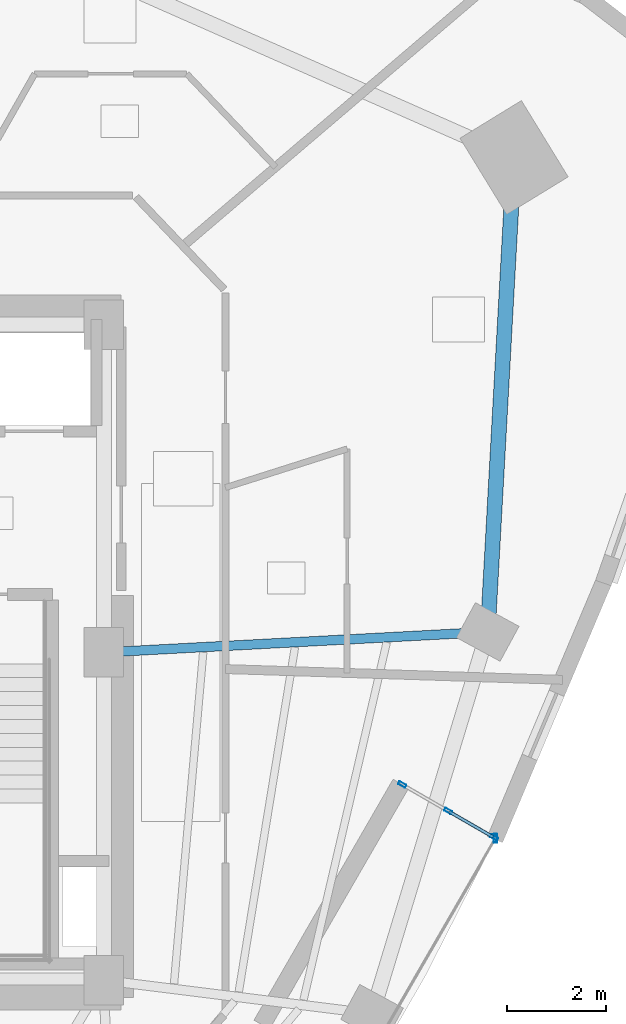
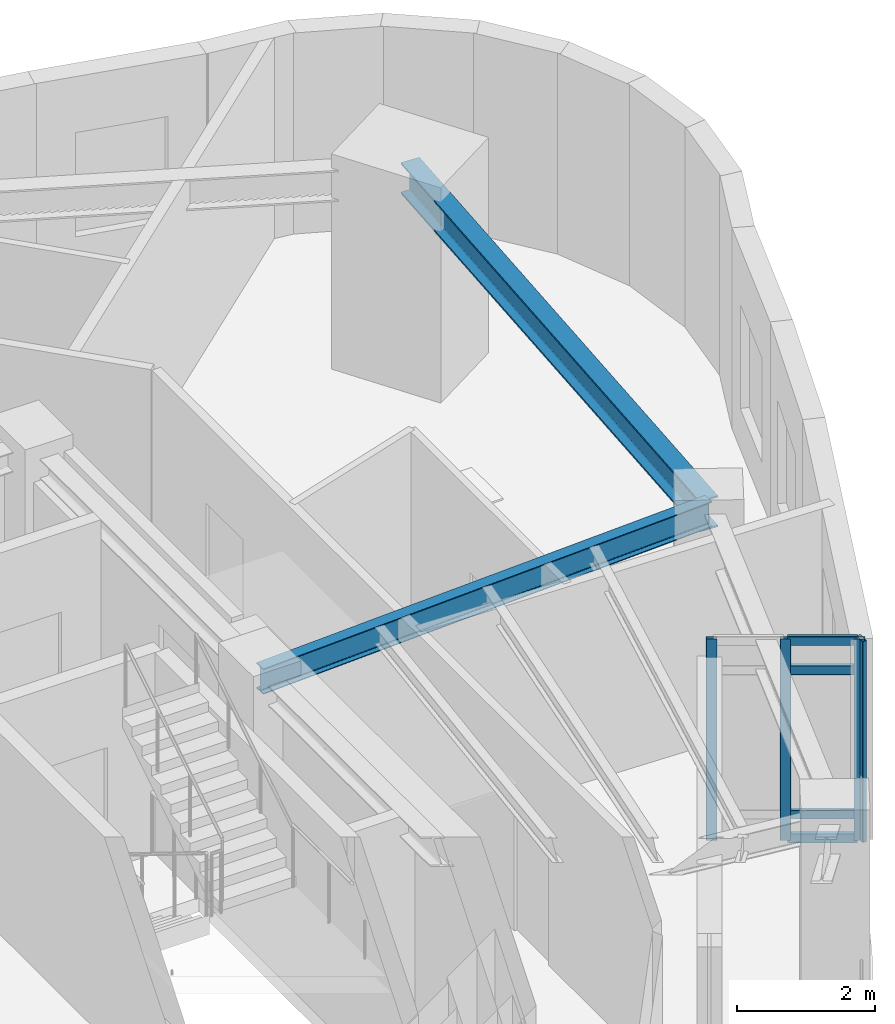
# One storey, part 4 of 12: 8 members, 2 beams, 1 element without a shape of its own.
"""IFC4 building model written with IfcOpenShell, lengths in metres."""

from ifc_helpers import new_model, si_unit, direction, frame, origin, origin_2d, place, context, subcontext, project, spatial, hollow_rectangle, i_section, extrude, material, layer, layer_set, material_profile, profile_set, type_object, element, aggregate, save


model = new_model("IFC4")

# Units and contexts
model_context = context("Model", 3, precision=1e-05, world=origin(), true_north=direction((0.0, 1.0)))
body_context = subcontext(model_context, "Body", "Model", "MODEL_VIEW")
ifc_project = project(units=[si_unit("LENGTHUNIT", "METRE"), si_unit("AREAUNIT", "SQUARE_METRE"), si_unit("VOLUMEUNIT", "CUBIC_METRE"), si_unit("PLANEANGLEUNIT", "RADIAN"), si_unit("MASSUNIT", "GRAM", prefix="KILO")], contexts=[model_context])

# Site, building, storey
site_placement = place(None, origin())
site = spatial("IfcSite", under=ifc_project, at=site_placement, CompositionType="ELEMENT")
building_placement = place(site_placement, origin())
building = spatial("IfcBuilding", under=site, at=building_placement, Name="Ndelora Gate Hotel", CompositionType="ELEMENT")
storey_placement = place(building_placement, frame((0.0, 0.0, 209.35009765625)))
storey = spatial("IfcBuildingStorey", under=building, at=storey_placement, Name="L52", CompositionType="ELEMENT", Elevation=209.35009765625)

# Beams
ifc_material_1 = material(Name="Steel S355", Category="steel")
ifc_material_profile_1 = material_profile(ifc_material_1, i_section(OverallWidth=0.18994140625, OverallDepth=0.449951171875, WebThickness=0.009521484375, FlangeThickness=0.0146484375, FilletRadius=0.02099609375, at=origin_2d()), Name="IPE 450")
ifc_profile_set_1 = profile_set([ifc_material_profile_1], Name="Steel S355")
beam_type_1 = type_object("IfcBeamType", Name="BM-RAD-450", PredefinedType="BEAM", material=ifc_profile_set_1)
beam_1_placement = place(storey_placement, frame((8.0, 0.0, 3.324951171875), z_axis=(0.998583554121, 0.053206065814, 0.0), x_axis=(-0.053206065814, 0.998583554121, 0.0)))
element("IfcBeam", 1, at=beam_1_placement, inside=storey, type_object=beam_type_1, Name="L52 Radial Floor Girder 8", PredefinedType="BEAM", context=body_context, shape_type="SweptSolid", body=[
    extrude(i_section(OverallWidth=0.18994140625, OverallDepth=0.449951171875, WebThickness=0.009521484375, FlangeThickness=0.0146484375, FilletRadius=0.02099609375, at=origin_2d()), origin(), (0.0, 0.0, 1.0), 7.740966796875),
])
ifc_material_profile_2 = material_profile(ifc_material_1, i_section(OverallWidth=0.300048828125, OverallDepth=0.550048828125, WebThickness=0.014892578125, FlangeThickness=0.029052734375, FilletRadius=0.027099609375, at=origin_2d()), Name="HEB 550")
ifc_profile_set_2 = profile_set([ifc_material_profile_2], Name="Steel S355")
beam_type_2 = type_object("IfcBeamType", Name="BM-RING-550", PredefinedType="SPANDREL", material=ifc_profile_set_2)
beam_2_placement = place(storey_placement, frame((15.72998046875, 0.411865234375, 3.27490234375), z_axis=(0.055426206248, 0.998462786318, 0.0), x_axis=(-0.998462786318, 0.055426206248, 0.0)))
element("IfcBeam", 2, at=beam_2_placement, inside=storey, type_object=beam_type_2, Name="L52 Perimeter Spandrel Girder 8", PredefinedType="SPANDREL", context=body_context, shape_type="SweptSolid", body=[
    extrude(i_section(OverallWidth=0.300048828125, OverallDepth=0.550048828125, WebThickness=0.014892578125, FlangeThickness=0.029052734375, FilletRadius=0.027099609375, at=origin_2d()), origin(), (0.0, 0.0, 1.0), 9.567138671875),
])

# Curtain wall, members
ifc_material_2 = material(Name="Bronze Anodised Unitised Aluminium and Low-E Glass", Category="aluminium")
ifc_layer = layer(ifc_material_2, 0.199951171875)
ifc_layer_set = layer_set([ifc_layer], Name="Bronze Anodised Unitised Aluminium and Low-E Glass")
curtain_wall_type = type_object("IfcCurtainWallType", Name="CW-SYS-3", PredefinedType="NOTDEFINED", material=ifc_layer_set)
curtain_wall_placement = place(storey_placement, origin())
curtain_wall = element("IfcCurtainWall", 3, at=curtain_wall_placement, inside=storey, type_object=curtain_wall_type, Name="L52 Sky-Garden Loggia Side Curtain Wall CW3-2", PredefinedType="NOTDEFINED")
ifc_material_3 = material(Name="Bronze Anodised Aluminium 6063-T6", Category="aluminium")
ifc_material_profile_3 = material_profile(ifc_material_3, hollow_rectangle(XDim=0.06494140625, YDim=0.159912109375, WallThickness=0.00390625, InnerFilletRadius=0.00390625, OuterFilletRadius=0.008056640625, at=origin_2d()), Name="ALU 160x65x4")
ifc_profile_set_3 = profile_set([ifc_material_profile_3], Name="Bronze Anodised Aluminium 6063-T6")
member_type_1 = type_object("IfcMemberType", Name="MB-CW-MUL150", PredefinedType="MULLION", material=ifc_profile_set_3)
member_1_placement = place(storey_placement, frame((15.857666015625, -3.728271484375, -0.004150390625), z_axis=(0.0, 0.0, 1.0), x_axis=(-0.499991317892, -0.866030416344, 0.0)))
member_1 = element("IfcMember", 4, at=member_1_placement, type_object=member_type_1, Name="CW3 mullion 1", PredefinedType="MULLION", context=body_context, shape_type="SweptSolid", body=[
    extrude(hollow_rectangle(XDim=0.06494140625, YDim=0.159912109375, WallThickness=0.00390625, InnerFilletRadius=0.00390625, OuterFilletRadius=0.008056640625, at=origin_2d()), origin(), (0.0, 0.0, 1.0), 3.55810546875),
])
member_2_placement = place(storey_placement, frame((14.933349609375, -3.194580078125, -0.004150390625), z_axis=(0.0, 0.0, 1.0), x_axis=(-0.499991317892, -0.866030416344, 0.0)))
member_2 = element("IfcMember", 5, at=member_2_placement, type_object=member_type_1, Name="CW3 mullion 2", PredefinedType="MULLION", context=body_context, shape_type="SweptSolid", body=[
    extrude(hollow_rectangle(XDim=0.06494140625, YDim=0.159912109375, WallThickness=0.00390625, InnerFilletRadius=0.00390625, OuterFilletRadius=0.008056640625, at=origin_2d()), origin(), (0.0, 0.0, 1.0), 3.55810546875),
])
member_3_placement = place(storey_placement, frame((14.0087890625, -2.660888671875, -0.004150390625), z_axis=(0.0, 0.0, 1.0), x_axis=(-0.499991317892, -0.866030416344, 0.0)))
member_3 = element("IfcMember", 6, at=member_3_placement, type_object=member_type_1, Name="CW3 mullion 3", PredefinedType="MULLION", context=body_context, shape_type="SweptSolid", body=[
    extrude(hollow_rectangle(XDim=0.06494140625, YDim=0.159912109375, WallThickness=0.00390625, InnerFilletRadius=0.00390625, OuterFilletRadius=0.008056640625, at=origin_2d()), origin(), (0.0, 0.0, 1.0), 3.55810546875),
])
ifc_material_profile_4 = material_profile(ifc_material_3, hollow_rectangle(XDim=0.070068359375, YDim=0.179931640625, WallThickness=0.0048828125, InnerFilletRadius=0.0048828125, OuterFilletRadius=0.010009765625, at=origin_2d()), Name="ALU 180x70x5")
ifc_profile_set_4 = profile_set([ifc_material_profile_4], Name="Bronze Anodised Aluminium 6063-T6")
member_type_2 = type_object("IfcMemberType", Name="MB-CW-MUL180", PredefinedType="MULLION", material=ifc_profile_set_4)
member_4_placement = place(storey_placement, frame((15.885986328125, -3.74462890625, 0.0), z_axis=(0.0, 0.0, 1.0), x_axis=(1.0, 0.0, 0.0)))
member_4 = element("IfcMember", 7, at=member_4_placement, type_object=member_type_2, Name="L52 Sky-Garden Loggia Corner Mullion Post 2", PredefinedType="MULLION", context=body_context, shape_type="SweptSolid", body=[
    extrude(hollow_rectangle(XDim=0.070068359375, YDim=0.179931640625, WallThickness=0.0048828125, InnerFilletRadius=0.0048828125, OuterFilletRadius=0.010009765625, at=origin_2d()), origin(), (0.0, 0.0, 1.0), 3.5498046875),
])
ifc_material_profile_5 = material_profile(ifc_material_3, hollow_rectangle(XDim=0.06494140625, YDim=0.159912109375, WallThickness=0.00390625, InnerFilletRadius=0.00390625, OuterFilletRadius=0.008056640625, at=origin_2d()), Name="ALU 160x65x4")
ifc_profile_set_5 = profile_set([ifc_material_profile_5], Name="Bronze Anodised Aluminium 6063-T6")
member_type_3 = type_object("IfcMemberType", Name="MB-CW-TRN150", PredefinedType="USERDEFINED", material=ifc_profile_set_5)
member_5_placement = place(storey_placement, frame((15.834716796875, -3.715087890625, 0.032470703125), z_axis=(-0.865953096906, 0.50012521828, 0.0), x_axis=(-0.50012521828, -0.865953096906, 0.0)))
member_5 = element("IfcMember", 8, at=member_5_placement, type_object=member_type_3, Name="CW3 transom 1.1", ObjectType="TRANSOM", PredefinedType="USERDEFINED", context=body_context, shape_type="SweptSolid", body=[
    extrude(hollow_rectangle(XDim=0.06494140625, YDim=0.159912109375, WallThickness=0.00390625, InnerFilletRadius=0.00390625, OuterFilletRadius=0.008056640625, at=origin_2d()), origin(), (0.0, 0.0, 1.0), 1.014404296875),
])
member_6_placement = place(storey_placement, frame((15.834716796875, -3.715087890625, 0.449951171875), z_axis=(-0.865953096906, 0.50012521828, 0.0), x_axis=(-0.50012521828, -0.865953096906, 0.0)))
member_6 = element("IfcMember", 9, at=member_6_placement, type_object=member_type_3, Name="CW3 transom 1.2", ObjectType="TRANSOM", PredefinedType="USERDEFINED", context=body_context, shape_type="SweptSolid", body=[
    extrude(hollow_rectangle(XDim=0.06494140625, YDim=0.159912109375, WallThickness=0.00390625, InnerFilletRadius=0.00390625, OuterFilletRadius=0.008056640625, at=origin_2d()), origin(), (0.0, 0.0, 1.0), 1.014404296875),
])
member_7_placement = place(storey_placement, frame((15.834716796875, -3.715087890625, 3.0), z_axis=(-0.865953096906, 0.50012521828, 0.0), x_axis=(-0.50012521828, -0.865953096906, 0.0)))
member_7 = element("IfcMember", 10, at=member_7_placement, type_object=member_type_3, Name="CW3 transom 1.3", ObjectType="TRANSOM", PredefinedType="USERDEFINED", context=body_context, shape_type="SweptSolid", body=[
    extrude(hollow_rectangle(XDim=0.06494140625, YDim=0.159912109375, WallThickness=0.00390625, InnerFilletRadius=0.00390625, OuterFilletRadius=0.008056640625, at=origin_2d()), origin(), (0.0, 0.0, 1.0), 1.014404296875),
])
member_8_placement = place(storey_placement, frame((15.834716796875, -3.715087890625, 3.517333984375), z_axis=(-0.865953096906, 0.50012521828, 0.0), x_axis=(-0.50012521828, -0.865953096906, 0.0)))
member_8 = element("IfcMember", 11, at=member_8_placement, type_object=member_type_3, Name="CW3 transom 1.4", ObjectType="TRANSOM", PredefinedType="USERDEFINED", context=body_context, shape_type="SweptSolid", body=[
    extrude(hollow_rectangle(XDim=0.06494140625, YDim=0.159912109375, WallThickness=0.00390625, InnerFilletRadius=0.00390625, OuterFilletRadius=0.008056640625, at=origin_2d()), origin(), (0.0, 0.0, 1.0), 1.014404296875),
])
aggregate(curtain_wall, [member_1, member_2, member_3, member_5, member_6, member_7, member_8, member_4])

save(model, "model.ifc")
